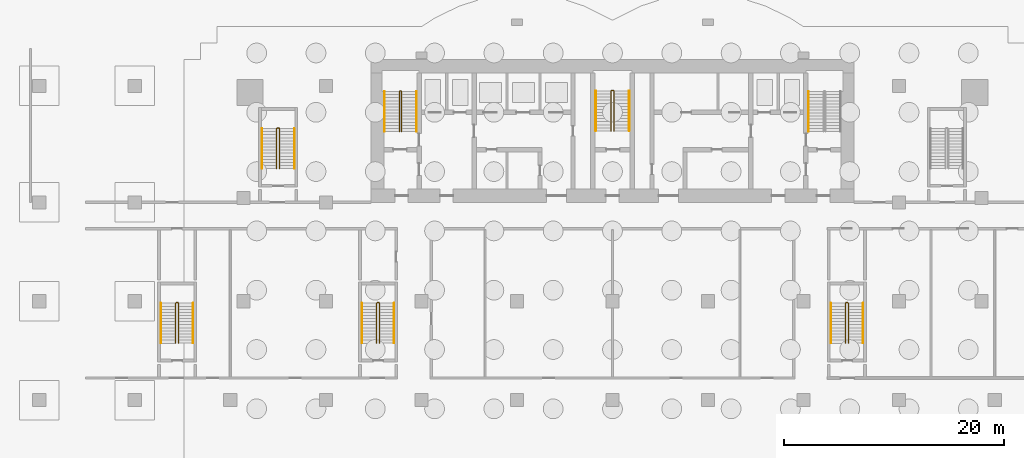
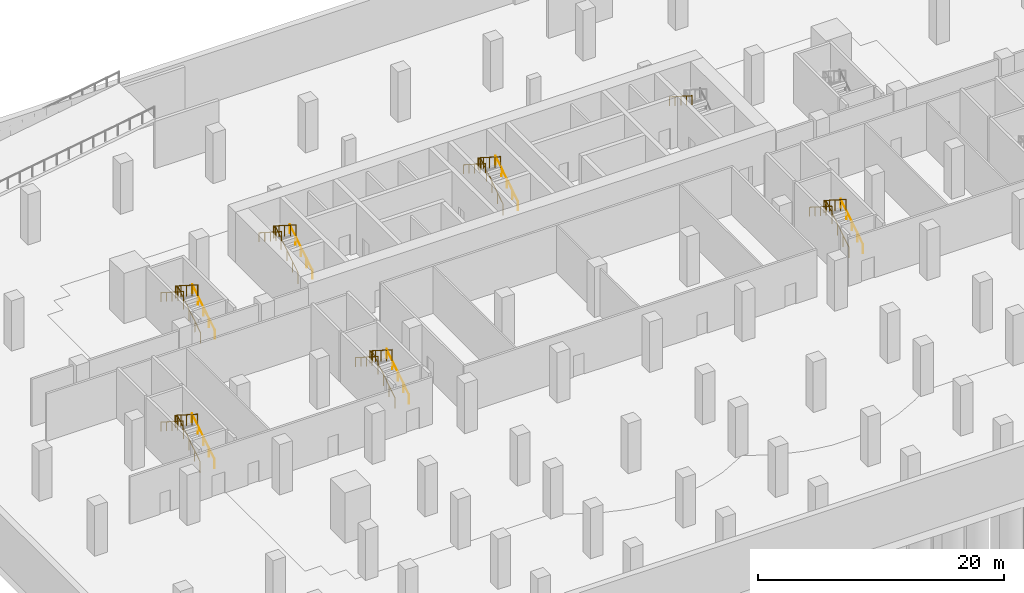
# One storey, part 8 of 10: 19 railings.
"""IFC4 building model written with IfcOpenShell, lengths in metres."""

import ifcopenshell
import ifcopenshell.guid

model = None  # the IFC model being written
_history = None  # IfcOwnerHistory: only IFC2X3 demands one
_inside = {}  # id of a spatial element -> (the spatial element, [elements in it])
_under = {}  # id of a project, library or spatial element -> (it, [spatial elements below it])
_declared = {}  # id of a project -> (the project, [libraries it declares])
_typed = {}  # id of a type object -> (the type object, [elements of that type])
_made_of = {}  # id of a material, layer set ... -> (it, [elements and type objects made of it])


def new_model(schema):
    """Start an empty IFC model of exactly this schema.

    Asked for "IFC4X3", IfcOpenShell would pick the latest addendum, in which some entities
    have other attributes; the version numbers below select the first issue.
    IFC2X3 requires an IfcOwnerHistory on every rooted entity: one is made here for all.
    """
    global model, _history
    if schema == "IFC4X3":
        model = ifcopenshell.file(schema_version=(4, 3, 0, 0))
    else:
        model = ifcopenshell.file(schema=schema)
    _inside.clear()
    _under.clear()
    _declared.clear()
    _typed.clear()
    _made_of.clear()
    _history = None
    if model.schema == "IFC2X3":
        org = make("IfcOrganization", Name="unknown")
        user = make(
            "IfcPersonAndOrganization",
            ThePerson=make("IfcPerson", FamilyName="unknown"),
            TheOrganization=org,
        )
        app = make(
            "IfcApplication",
            ApplicationDeveloper=org,
            Version="unknown",
            ApplicationFullName="unknown",
            ApplicationIdentifier="unknown",
        )
        _history = make(
            "IfcOwnerHistory",
            OwningUser=user,
            OwningApplication=app,
            ChangeAction="ADDED",
            CreationDate=0,
        )
    return model


def make(cls, **values):
    """One entity of the class cls with the attributes given. An attribute that is None is left unset."""
    return model.create_entity(
        cls, **{name: value for name, value in values.items() if value is not None}
    )


def rooted(cls, **values):
    """An entity with a GlobalId (a new one), such as an element, a storey or a relation."""
    return make(cls, GlobalId=ifcopenshell.guid.new(), OwnerHistory=_history, **values)


def si_unit(unit_type, name, prefix=None):
    """IfcSIUnit, for example si_unit("LENGTHUNIT", "METRE", prefix="MILLI")."""
    return make("IfcSIUnit", UnitType=unit_type, Prefix=prefix, Name=name)


def assignment(units):
    """IfcUnitAssignment: the units of a project."""
    return None if units is None else make("IfcUnitAssignment", Units=units)


def point(xyz):
    """IfcCartesianPoint."""
    return None if xyz is None else make("IfcCartesianPoint", Coordinates=xyz)


def direction(xyz):
    """IfcDirection."""
    return None if xyz is None else make("IfcDirection", DirectionRatios=xyz)


def frame(location, z_axis=None, x_axis=None):
    """IfcAxis2Placement3D, a coordinate frame: its origin and axes. An axis left out is left unset."""
    return make(
        "IfcAxis2Placement3D",
        Location=point(location),
        Axis=direction(z_axis),
        RefDirection=direction(x_axis),
    )


def frame_2d(location, x_axis=None):
    """IfcAxis2Placement2D, a coordinate frame in the plane: its origin and x axis."""
    return make(
        "IfcAxis2Placement2D", Location=point(location), RefDirection=direction(x_axis)
    )


def origin():
    """The frame at (0, 0, 0) with its axes left unset."""
    return frame((0.0, 0.0, 0.0))


def origin_2d():
    """The frame at (0, 0) in the plane with its x axis left unset."""
    return frame_2d((0.0, 0.0))


def place(relative_to, where):
    """IfcLocalPlacement: puts the frame where relative to a parent placement (None: the world)."""
    return make(
        "IfcLocalPlacement", PlacementRelTo=relative_to, RelativePlacement=where
    )


def context(
    kind, dimensions, precision=None, world=None, true_north=None, identifier=None
):
    """IfcGeometricRepresentationContext, for example the 3D "Model" context."""
    return make(
        "IfcGeometricRepresentationContext",
        ContextIdentifier=identifier,
        ContextType=kind,
        CoordinateSpaceDimension=dimensions,
        Precision=precision,
        WorldCoordinateSystem=world,
        TrueNorth=true_north,
    )


def subcontext(parent, identifier, kind, view, scale=None):
    """IfcGeometricRepresentationSubContext, for example "Body" below "Model"."""
    return make(
        "IfcGeometricRepresentationSubContext",
        ContextIdentifier=identifier,
        ContextType=kind,
        ParentContext=parent,
        TargetScale=scale,
        TargetView=view,
    )


def project(units=None, contexts=None):
    """IfcProject with its units and contexts."""
    return rooted(
        "IfcProject",
        Name="project",
        RepresentationContexts=contexts,
        UnitsInContext=assignment(units),
    )


def spatial(cls, under=None, at=None, **own):
    """A site, building, storey or space (cls), placed at a placement, below another one or the project."""
    s = rooted(cls, ObjectPlacement=at, **own)
    if under is not None:
        _under.setdefault(under.id(), (under, []))[1].append(s)
    return s


def profile(cls, at=None, kind="AREA", **sizes):
    """A parametric profile (cls). Its sizes go by their IFC names, for example OverallWidth=200.0."""
    return make(cls, ProfileType=kind, Position=at, **sizes)


def circle(**sizes):
    """IfcCircleProfileDef."""
    return profile("IfcCircleProfileDef", **sizes)


def extrude(swept, where, along, depth):
    """IfcExtrudedAreaSolid: the profile swept, set in the frame where, extruded along a direction by depth."""
    return make(
        "IfcExtrudedAreaSolid",
        SweptArea=swept,
        Position=where,
        ExtrudedDirection=direction(along),
        Depth=depth,
    )


def shape(context_of_items, identifier, shape_type, items):
    """IfcShapeRepresentation: the items that make up one representation, for example the "Body"."""
    return make(
        "IfcShapeRepresentation",
        ContextOfItems=context_of_items,
        RepresentationIdentifier=identifier,
        RepresentationType=shape_type,
        Items=items,
    )


def material(Name=None, Category=None):
    """IfcMaterial."""
    return make("IfcMaterial", Name=Name, Category=Category)


def made_of(thing, what):
    """Note that an element or type object is made of a material, layer set ...; save() writes the relation."""
    if what is not None:
        _made_of.setdefault(what.id(), (what, []))[1].append(thing)
    return thing


def type_object(cls, material=None, **own):
    """A type object (cls), such as IfcWallType, which elements share."""
    return made_of(rooted(cls, **own), material)


def element(
    cls,
    number,
    at=None,
    inside=None,
    cuts=None,
    type_object=None,
    material=None,
    context=None,
    identifier="Body",
    shape_type=None,
    held_by="IfcProductDefinitionShape",
    body=None,
    shapes=None,
    **own,
):
    """One element of the class cls, such as IfcWall. Its Tag is "e" and its number.

    at: its placement. inside: the storey or other place that contains it. cuts: it is an
    opening in that element (IfcRelVoidsElement). A single representation is given by context,
    identifier, shape_type and body (its items); several are given by shapes. held_by: the class
    of the entity that holds the representations. save() writes the other relations.
    """
    e = rooted(cls, Tag="e%d" % number, ObjectPlacement=at, **own)
    if body is not None:
        shapes = [shape(context, identifier, shape_type, body)]
    if shapes is not None:
        e.Representation = make(held_by, Representations=shapes)
    if inside is not None:
        _inside.setdefault(inside.id(), (inside, []))[1].append(e)
    if cuts is not None:
        rooted(
            "IfcRelVoidsElement", RelatingBuildingElement=cuts, RelatedOpeningElement=e
        )
    if type_object is not None:
        _typed.setdefault(type_object.id(), (type_object, []))[1].append(e)
    return made_of(e, material)


def aggregate(whole, parts):
    """IfcRelAggregates: a whole, such as a stair, and the parts it consists of."""
    return rooted("IfcRelAggregates", RelatingObject=whole, RelatedObjects=parts)


def save(model, path):
    """Write the relations noted so far, then the file.

    IfcRelAggregates (storeys below a building ...), IfcRelContainedInSpatialStructure (elements
    in a storey), IfcRelDefinesByType, IfcRelAssociatesMaterial and IfcRelDeclares: one each for
    every whole, place, type object, material and project.
    """
    for whole, parts in _under.values():
        aggregate(whole, parts)
    for where, things in _inside.values():
        rooted(
            "IfcRelContainedInSpatialStructure",
            RelatedElements=things,
            RelatingStructure=where,
        )
    for kind, things in _typed.values():
        rooted("IfcRelDefinesByType", RelatedObjects=things, RelatingType=kind)
    for what, things in _made_of.values():
        rooted("IfcRelAssociatesMaterial", RelatedObjects=things, RelatingMaterial=what)
    for by, libraries in _declared.values():
        rooted("IfcRelDeclares", RelatingContext=by, RelatedDefinitions=libraries)
    model.write(path)


model = new_model("IFC4")

# Units and contexts
model_context = context("Model", 3, precision=1e-05, world=origin(), true_north=direction((0.0, 1.0)))
body_context = subcontext(model_context, "Body", "Model", "MODEL_VIEW")
ifc_project = project(units=[si_unit("LENGTHUNIT", "METRE"), si_unit("AREAUNIT", "SQUARE_METRE"), si_unit("VOLUMEUNIT", "CUBIC_METRE"), si_unit("PLANEANGLEUNIT", "RADIAN"), si_unit("MASSUNIT", "GRAM", prefix="KILO")], contexts=[model_context])

# Site, building, storey
site_placement = place(None, origin())
site = spatial("IfcSite", under=ifc_project, at=site_placement, CompositionType="ELEMENT")
building_placement = place(site_placement, origin())
building = spatial("IfcBuilding", under=site, at=building_placement, Name="Bicima Exchange Tower", CompositionType="ELEMENT")
storey_placement = place(building_placement, frame((0.0, 0.0, -15.0)))
storey = spatial("IfcBuildingStorey", under=building, at=storey_placement, Name="B3", CompositionType="ELEMENT", Elevation=-15.0)

# Railings
ifc_material = material(Name="Stainless steel", Category="steel")
railing_type_1 = type_object("IfcRailingType", Name="Stair guard 1100", PredefinedType="GUARDRAIL", material=ifc_material)
railing_1_placement = place(storey_placement, frame((-19.199951171875, -6.550048828125, 0.178466796875)))
element("IfcRailing", 1, at=railing_1_placement, inside=storey, type_object=railing_type_1, Name="B3 ST-W stair guard 1", PredefinedType="GUARDRAIL", context=body_context, shape_type="SweptSolid", body=[
    extrude(circle(Radius=0.02392578125, at=origin_2d()), frame((0.0, 0.0, 1.076171875), z_axis=(0.0, 0.843127859045, 0.537713132908), x_axis=(-1.0, 0.0, 0.0)), (0.0, 0.0, 1.0), 4.3173828125),
    extrude(circle(Radius=0.02392578125, at=origin_2d()), frame((0.0, 3.64013671875, 3.3974609375), z_axis=(-0.708833529934, 0.705375805398, 0.0), x_axis=(-0.705375805398, -0.708833529934, 0.0)), (0.0, 0.0, 1.0), 0.070556640625),
    extrude(circle(Radius=0.02392578125, at=origin_2d()), frame((-0.050048828125, 3.68994140625, 3.3974609375), z_axis=(-1.0, 0.0, 0.0), x_axis=(0.0, -1.0, 0.0)), (0.0, 0.0, 1.0), 0.10009765625),
    extrude(circle(Radius=0.02392578125, at=origin_2d()), frame((-0.150146484375, 3.68994140625, 3.3974609375), z_axis=(-0.259584636361, -0.259584636361, 0.930178280294), x_axis=(0.707106781187, -0.707106781187, 0.0)), (0.0, 0.0, 1.0), 0.19189453125),
    extrude(circle(Radius=0.02392578125, at=origin_2d()), frame((-0.199951171875, 3.64013671875, 3.576171875), z_axis=(0.0, -0.843127859045, 0.537713132908), x_axis=(1.0, 0.0, 0.0)), (0.0, 0.0, 1.0), 4.3173828125),
    extrude(circle(Radius=0.02099609375, at=origin_2d()), origin(), (0.0, 0.0, 1.0), 1.052001953125),
    extrude(circle(Radius=0.02099609375, at=origin_2d()), frame((0.0, 0.91015625, 0.580322265625)), (0.0, 0.0, 1.0), 1.052001953125),
    extrude(circle(Radius=0.02099609375, at=origin_2d()), frame((0.0, 1.820068359375, 1.16064453125)), (0.0, 0.0, 1.0), 1.052001953125),
    extrude(circle(Radius=0.02099609375, at=origin_2d()), frame((0.0, 2.72998046875, 1.7412109375)), (0.0, 0.0, 1.0), 1.052001953125),
    extrude(circle(Radius=0.02099609375, at=origin_2d()), frame((0.0, 3.64013671875, 2.321533203125)), (0.0, 0.0, 1.0), 1.052001953125),
    extrude(circle(Radius=0.02099609375, at=origin_2d()), frame((-0.050048828125, 3.68994140625, 2.321533203125)), (0.0, 0.0, 1.0), 1.052001953125),
    extrude(circle(Radius=0.02099609375, at=origin_2d()), frame((-0.150146484375, 3.68994140625, 2.321533203125)), (0.0, 0.0, 1.0), 1.052001953125),
    extrude(circle(Radius=0.02099609375, at=origin_2d()), frame((-0.199951171875, 3.64013671875, 2.5)), (0.0, 0.0, 1.0), 1.052001953125),
    extrude(circle(Radius=0.02099609375, at=origin_2d()), frame((-0.199951171875, 2.72998046875, 3.080322265625)), (0.0, 0.0, 1.0), 1.052001953125),
    extrude(circle(Radius=0.02099609375, at=origin_2d()), frame((-0.199951171875, 1.820068359375, 3.66064453125)), (0.0, 0.0, 1.0), 1.052001953125),
    extrude(circle(Radius=0.02099609375, at=origin_2d()), frame((-0.199951171875, 0.91015625, 4.2412109375)), (0.0, 0.0, 1.0), 1.052001953125),
    extrude(circle(Radius=0.02099609375, at=origin_2d()), frame((-0.199951171875, 0.0, 4.821533203125)), (0.0, 0.0, 1.0), 1.052001953125),
])
railing_2_placement = place(storey_placement, frame((0.125, -6.5, 0.178466796875)))
element("IfcRailing", 2, at=railing_2_placement, inside=storey, type_object=railing_type_1, Name="B3 ST-C stair guard 1", PredefinedType="GUARDRAIL", context=body_context, shape_type="SweptSolid", body=[
    extrude(circle(Radius=0.02392578125, at=origin_2d()), frame((0.0, 0.0, 1.076171875), z_axis=(0.0, 0.843111507901, 0.53773877045), x_axis=(-1.0, 0.0, 0.0)), (0.0, 0.0, 1.0), 4.317138671875),
    extrude(circle(Radius=0.02392578125, at=origin_2d()), frame((0.0, 3.639892578125, 3.3974609375), z_axis=(-0.707106781187, 0.707106781187, 0.0), x_axis=(-0.707106781187, -0.707106781187, 0.0)), (0.0, 0.0, 1.0), 0.07080078125),
    extrude(circle(Radius=0.02392578125, at=origin_2d()), frame((-0.050048828125, 3.68994140625, 3.3974609375), z_axis=(-1.0, 0.0, 0.0), x_axis=(0.0, -1.0, 0.0)), (0.0, 0.0, 1.0), 0.14990234375),
    extrude(circle(Radius=0.02392578125, at=origin_2d()), frame((-0.199951171875, 3.68994140625, 3.3974609375), z_axis=(-0.260684529273, -0.260684529273, 0.929562882432), x_axis=(0.707106781187, -0.707106781187, 0.0)), (0.0, 0.0, 1.0), 0.19189453125),
    extrude(circle(Radius=0.02392578125, at=origin_2d()), frame((-0.25, 3.639892578125, 3.576171875), z_axis=(0.0, -0.843111507901, 0.53773877045), x_axis=(1.0, 0.0, 0.0)), (0.0, 0.0, 1.0), 4.317138671875),
    extrude(circle(Radius=0.02099609375, at=origin_2d()), origin(), (0.0, 0.0, 1.0), 1.052001953125),
    extrude(circle(Radius=0.02099609375, at=origin_2d()), frame((0.0, 0.909912109375, 0.580322265625)), (0.0, 0.0, 1.0), 1.052001953125),
    extrude(circle(Radius=0.02099609375, at=origin_2d()), frame((0.0, 1.81982421875, 1.16064453125)), (0.0, 0.0, 1.0), 1.052001953125),
    extrude(circle(Radius=0.02099609375, at=origin_2d()), frame((0.0, 2.72998046875, 1.7412109375)), (0.0, 0.0, 1.0), 1.052001953125),
    extrude(circle(Radius=0.02099609375, at=origin_2d()), frame((0.0, 3.639892578125, 2.321533203125)), (0.0, 0.0, 1.0), 1.052001953125),
    extrude(circle(Radius=0.02099609375, at=origin_2d()), frame((-0.050048828125, 3.68994140625, 2.321533203125)), (0.0, 0.0, 1.0), 1.052001953125),
    extrude(circle(Radius=0.02099609375, at=origin_2d()), frame((-0.199951171875, 3.68994140625, 2.321533203125)), (0.0, 0.0, 1.0), 1.052001953125),
    extrude(circle(Radius=0.02099609375, at=origin_2d()), frame((-0.25, 3.639892578125, 2.5)), (0.0, 0.0, 1.0), 1.052001953125),
    extrude(circle(Radius=0.02099609375, at=origin_2d()), frame((-0.25, 2.72998046875, 3.080322265625)), (0.0, 0.0, 1.0), 1.052001953125),
    extrude(circle(Radius=0.02099609375, at=origin_2d()), frame((-0.25, 1.81982421875, 3.66064453125)), (0.0, 0.0, 1.0), 1.052001953125),
    extrude(circle(Radius=0.02099609375, at=origin_2d()), frame((-0.25, 0.909912109375, 4.2412109375)), (0.0, 0.0, 1.0), 1.052001953125),
    extrude(circle(Radius=0.02099609375, at=origin_2d()), frame((-0.25, 0.0, 4.821533203125)), (0.0, 0.0, 1.0), 1.052001953125),
])
railing_3_placement = place(storey_placement, frame((-30.324951171875, -9.925048828125, 0.178466796875)))
element("IfcRailing", 3, at=railing_3_placement, inside=storey, type_object=railing_type_1, Name="B3 ST-WW stair guard 1", PredefinedType="GUARDRAIL", context=body_context, shape_type="SweptSolid", body=[
    extrude(circle(Radius=0.02392578125, at=origin_2d()), frame((0.0, 0.0, 1.076171875), z_axis=(0.0, 0.843127859045, 0.537713132908), x_axis=(-1.0, 0.0, 0.0)), (0.0, 0.0, 1.0), 4.3173828125),
    extrude(circle(Radius=0.02392578125, at=origin_2d()), frame((0.0, 3.64013671875, 3.3974609375), z_axis=(-0.708833529934, 0.705375805398, 0.0), x_axis=(-0.705375805398, -0.708833529934, 0.0)), (0.0, 0.0, 1.0), 0.070556640625),
    extrude(circle(Radius=0.02392578125, at=origin_2d()), frame((-0.050048828125, 3.68994140625, 3.3974609375), z_axis=(-1.0, 0.0, 0.0), x_axis=(0.0, -1.0, 0.0)), (0.0, 0.0, 1.0), 0.14990234375),
    extrude(circle(Radius=0.02392578125, at=origin_2d()), frame((-0.199951171875, 3.68994140625, 3.3974609375), z_axis=(-0.26077077684, -0.25949872427, 0.929870428634), x_axis=(0.705375805398, -0.708833529934, 0.0)), (0.0, 0.0, 1.0), 0.19189453125),
    extrude(circle(Radius=0.02392578125, at=origin_2d()), frame((-0.25, 3.64013671875, 3.576171875), z_axis=(0.0, -0.843127859045, 0.537713132908), x_axis=(1.0, 0.0, 0.0)), (0.0, 0.0, 1.0), 4.3173828125),
    extrude(circle(Radius=0.02099609375, at=origin_2d()), origin(), (0.0, 0.0, 1.0), 1.052001953125),
    extrude(circle(Radius=0.02099609375, at=origin_2d()), frame((0.0, 0.91015625, 0.580322265625)), (0.0, 0.0, 1.0), 1.052001953125),
    extrude(circle(Radius=0.02099609375, at=origin_2d()), frame((0.0, 1.820068359375, 1.16064453125)), (0.0, 0.0, 1.0), 1.052001953125),
    extrude(circle(Radius=0.02099609375, at=origin_2d()), frame((0.0, 2.72998046875, 1.7412109375)), (0.0, 0.0, 1.0), 1.052001953125),
    extrude(circle(Radius=0.02099609375, at=origin_2d()), frame((0.0, 3.64013671875, 2.321533203125)), (0.0, 0.0, 1.0), 1.052001953125),
    extrude(circle(Radius=0.02099609375, at=origin_2d()), frame((-0.050048828125, 3.68994140625, 2.321533203125)), (0.0, 0.0, 1.0), 1.052001953125),
    extrude(circle(Radius=0.02099609375, at=origin_2d()), frame((-0.199951171875, 3.68994140625, 2.321533203125)), (0.0, 0.0, 1.0), 1.052001953125),
    extrude(circle(Radius=0.02099609375, at=origin_2d()), frame((-0.25, 3.64013671875, 2.5)), (0.0, 0.0, 1.0), 1.052001953125),
    extrude(circle(Radius=0.02099609375, at=origin_2d()), frame((-0.25, 2.72998046875, 3.080322265625)), (0.0, 0.0, 1.0), 1.052001953125),
    extrude(circle(Radius=0.02099609375, at=origin_2d()), frame((-0.25, 1.820068359375, 3.66064453125)), (0.0, 0.0, 1.0), 1.052001953125),
    extrude(circle(Radius=0.02099609375, at=origin_2d()), frame((-0.25, 0.91015625, 4.2412109375)), (0.0, 0.0, 1.0), 1.052001953125),
    extrude(circle(Radius=0.02099609375, at=origin_2d()), frame((-0.25, 0.0, 4.821533203125)), (0.0, 0.0, 1.0), 1.052001953125),
])
railing_4_placement = place(storey_placement, frame((-39.52490234375, -25.824951171875, 0.178466796875)))
element("IfcRailing", 4, at=railing_4_placement, inside=storey, type_object=railing_type_1, Name="B3 PS-W stair guard 1", PredefinedType="GUARDRAIL", context=body_context, shape_type="SweptSolid", body=[
    extrude(circle(Radius=0.02392578125, at=origin_2d()), frame((0.0, 0.0, 1.076171875), z_axis=(0.0, 0.843111507901, 0.53773877045), x_axis=(-1.0, 0.0, 0.0)), (0.0, 0.0, 1.0), 4.317138671875),
    extrude(circle(Radius=0.02392578125, at=origin_2d()), frame((0.0, 3.639892578125, 3.3974609375), z_axis=(-0.707106781187, 0.707106781187, 0.0), x_axis=(-0.707106781187, -0.707106781187, 0.0)), (0.0, 0.0, 1.0), 0.07080078125),
    extrude(circle(Radius=0.02392578125, at=origin_2d()), frame((-0.050048828125, 3.68994140625, 3.3974609375), z_axis=(-1.0, 0.0, 0.0), x_axis=(0.0, -1.0, 0.0)), (0.0, 0.0, 1.0), 0.150146484375),
    extrude(circle(Radius=0.02392578125, at=origin_2d()), frame((-0.2001953125, 3.68994140625, 3.3974609375), z_axis=(-0.25949872427, -0.26077077684, 0.929870428634), x_axis=(0.708833529934, -0.705375805398, 0.0)), (0.0, 0.0, 1.0), 0.19189453125),
    extrude(circle(Radius=0.02392578125, at=origin_2d()), frame((-0.25, 3.639892578125, 3.576171875), z_axis=(0.0, -0.843111507901, 0.53773877045), x_axis=(1.0, 0.0, 0.0)), (0.0, 0.0, 1.0), 4.317138671875),
    extrude(circle(Radius=0.02099609375, at=origin_2d()), origin(), (0.0, 0.0, 1.0), 1.052001953125),
    extrude(circle(Radius=0.02099609375, at=origin_2d()), frame((0.0, 0.909912109375, 0.580322265625)), (0.0, 0.0, 1.0), 1.052001953125),
    extrude(circle(Radius=0.02099609375, at=origin_2d()), frame((0.0, 1.81982421875, 1.16064453125)), (0.0, 0.0, 1.0), 1.052001953125),
    extrude(circle(Radius=0.02099609375, at=origin_2d()), frame((0.0, 2.72998046875, 1.7412109375)), (0.0, 0.0, 1.0), 1.052001953125),
    extrude(circle(Radius=0.02099609375, at=origin_2d()), frame((0.0, 3.639892578125, 2.321533203125)), (0.0, 0.0, 1.0), 1.052001953125),
    extrude(circle(Radius=0.02099609375, at=origin_2d()), frame((-0.050048828125, 3.68994140625, 2.321533203125)), (0.0, 0.0, 1.0), 1.052001953125),
    extrude(circle(Radius=0.02099609375, at=origin_2d()), frame((-0.2001953125, 3.68994140625, 2.321533203125)), (0.0, 0.0, 1.0), 1.052001953125),
    extrude(circle(Radius=0.02099609375, at=origin_2d()), frame((-0.25, 3.639892578125, 2.5)), (0.0, 0.0, 1.0), 1.052001953125),
    extrude(circle(Radius=0.02099609375, at=origin_2d()), frame((-0.25, 2.72998046875, 3.080322265625)), (0.0, 0.0, 1.0), 1.052001953125),
    extrude(circle(Radius=0.02099609375, at=origin_2d()), frame((-0.25, 1.81982421875, 3.66064453125)), (0.0, 0.0, 1.0), 1.052001953125),
    extrude(circle(Radius=0.02099609375, at=origin_2d()), frame((-0.25, 0.909912109375, 4.2412109375)), (0.0, 0.0, 1.0), 1.052001953125),
    extrude(circle(Radius=0.02099609375, at=origin_2d()), frame((-0.25, 0.0, 4.821533203125)), (0.0, 0.0, 1.0), 1.052001953125),
])
railing_5_placement = place(storey_placement, frame((-21.22509765625, -25.824951171875, 0.178466796875)))
element("IfcRailing", 5, at=railing_5_placement, inside=storey, type_object=railing_type_1, Name="B3 PS-WI stair guard 1", PredefinedType="GUARDRAIL", context=body_context, shape_type="SweptSolid", body=[
    extrude(circle(Radius=0.02392578125, at=origin_2d()), frame((0.0, 0.0, 1.076171875), z_axis=(0.0, 0.843111507901, 0.53773877045), x_axis=(-1.0, 0.0, 0.0)), (0.0, 0.0, 1.0), 4.317138671875),
    extrude(circle(Radius=0.02392578125, at=origin_2d()), frame((0.0, 3.639892578125, 3.3974609375), z_axis=(-0.705375805398, 0.708833529934, 0.0), x_axis=(-0.708833529934, -0.705375805398, 0.0)), (0.0, 0.0, 1.0), 0.070556640625),
    extrude(circle(Radius=0.02392578125, at=origin_2d()), frame((-0.0498046875, 3.68994140625, 3.3974609375), z_axis=(-1.0, 0.0, 0.0), x_axis=(0.0, -1.0, 0.0)), (0.0, 0.0, 1.0), 0.150146484375),
    extrude(circle(Radius=0.02392578125, at=origin_2d()), frame((-0.199951171875, 3.68994140625, 3.3974609375), z_axis=(-0.260684529273, -0.260684529273, 0.929562882432), x_axis=(0.707106781187, -0.707106781187, 0.0)), (0.0, 0.0, 1.0), 0.19189453125),
    extrude(circle(Radius=0.02392578125, at=origin_2d()), frame((-0.25, 3.639892578125, 3.576171875), z_axis=(0.0, -0.843111507901, 0.53773877045), x_axis=(1.0, 0.0, 0.0)), (0.0, 0.0, 1.0), 4.317138671875),
    extrude(circle(Radius=0.02099609375, at=origin_2d()), origin(), (0.0, 0.0, 1.0), 1.052001953125),
    extrude(circle(Radius=0.02099609375, at=origin_2d()), frame((0.0, 0.909912109375, 0.580322265625)), (0.0, 0.0, 1.0), 1.052001953125),
    extrude(circle(Radius=0.02099609375, at=origin_2d()), frame((0.0, 1.81982421875, 1.16064453125)), (0.0, 0.0, 1.0), 1.052001953125),
    extrude(circle(Radius=0.02099609375, at=origin_2d()), frame((0.0, 2.72998046875, 1.7412109375)), (0.0, 0.0, 1.0), 1.052001953125),
    extrude(circle(Radius=0.02099609375, at=origin_2d()), frame((0.0, 3.639892578125, 2.321533203125)), (0.0, 0.0, 1.0), 1.052001953125),
    extrude(circle(Radius=0.02099609375, at=origin_2d()), frame((-0.0498046875, 3.68994140625, 2.321533203125)), (0.0, 0.0, 1.0), 1.052001953125),
    extrude(circle(Radius=0.02099609375, at=origin_2d()), frame((-0.199951171875, 3.68994140625, 2.321533203125)), (0.0, 0.0, 1.0), 1.052001953125),
    extrude(circle(Radius=0.02099609375, at=origin_2d()), frame((-0.25, 3.639892578125, 2.5)), (0.0, 0.0, 1.0), 1.052001953125),
    extrude(circle(Radius=0.02099609375, at=origin_2d()), frame((-0.25, 2.72998046875, 3.080322265625)), (0.0, 0.0, 1.0), 1.052001953125),
    extrude(circle(Radius=0.02099609375, at=origin_2d()), frame((-0.25, 1.81982421875, 3.66064453125)), (0.0, 0.0, 1.0), 1.052001953125),
    extrude(circle(Radius=0.02099609375, at=origin_2d()), frame((-0.25, 0.909912109375, 4.2412109375)), (0.0, 0.0, 1.0), 1.052001953125),
    extrude(circle(Radius=0.02099609375, at=origin_2d()), frame((-0.25, 0.0, 4.821533203125)), (0.0, 0.0, 1.0), 1.052001953125),
])
railing_6_placement = place(storey_placement, frame((21.47509765625, -25.824951171875, 0.178466796875)))
element("IfcRailing", 6, at=railing_6_placement, inside=storey, type_object=railing_type_1, Name="B3 PS-EI stair guard 1", PredefinedType="GUARDRAIL", context=body_context, shape_type="SweptSolid", body=[
    extrude(circle(Radius=0.02392578125, at=origin_2d()), frame((0.0, 0.0, 1.076171875), z_axis=(0.0, 0.843111507901, 0.53773877045), x_axis=(-1.0, 0.0, 0.0)), (0.0, 0.0, 1.0), 4.317138671875),
    extrude(circle(Radius=0.02392578125, at=origin_2d()), frame((0.0, 3.639892578125, 3.3974609375), z_axis=(-0.707106781187, 0.707106781187, 0.0), x_axis=(-0.707106781187, -0.707106781187, 0.0)), (0.0, 0.0, 1.0), 0.07080078125),
    extrude(circle(Radius=0.02392578125, at=origin_2d()), frame((-0.050048828125, 3.68994140625, 3.3974609375), z_axis=(-1.0, 0.0, 0.0), x_axis=(0.0, -1.0, 0.0)), (0.0, 0.0, 1.0), 0.150146484375),
    extrude(circle(Radius=0.02392578125, at=origin_2d()), frame((-0.2001953125, 3.68994140625, 3.3974609375), z_axis=(-0.25949872427, -0.26077077684, 0.929870428634), x_axis=(0.708833529934, -0.705375805398, 0.0)), (0.0, 0.0, 1.0), 0.19189453125),
    extrude(circle(Radius=0.02392578125, at=origin_2d()), frame((-0.25, 3.639892578125, 3.576171875), z_axis=(0.0, -0.843111507901, 0.53773877045), x_axis=(1.0, 0.0, 0.0)), (0.0, 0.0, 1.0), 4.317138671875),
    extrude(circle(Radius=0.02099609375, at=origin_2d()), origin(), (0.0, 0.0, 1.0), 1.052001953125),
    extrude(circle(Radius=0.02099609375, at=origin_2d()), frame((0.0, 0.909912109375, 0.580322265625)), (0.0, 0.0, 1.0), 1.052001953125),
    extrude(circle(Radius=0.02099609375, at=origin_2d()), frame((0.0, 1.81982421875, 1.16064453125)), (0.0, 0.0, 1.0), 1.052001953125),
    extrude(circle(Radius=0.02099609375, at=origin_2d()), frame((0.0, 2.72998046875, 1.7412109375)), (0.0, 0.0, 1.0), 1.052001953125),
    extrude(circle(Radius=0.02099609375, at=origin_2d()), frame((0.0, 3.639892578125, 2.321533203125)), (0.0, 0.0, 1.0), 1.052001953125),
    extrude(circle(Radius=0.02099609375, at=origin_2d()), frame((-0.050048828125, 3.68994140625, 2.321533203125)), (0.0, 0.0, 1.0), 1.052001953125),
    extrude(circle(Radius=0.02099609375, at=origin_2d()), frame((-0.2001953125, 3.68994140625, 2.321533203125)), (0.0, 0.0, 1.0), 1.052001953125),
    extrude(circle(Radius=0.02099609375, at=origin_2d()), frame((-0.25, 3.639892578125, 2.5)), (0.0, 0.0, 1.0), 1.052001953125),
    extrude(circle(Radius=0.02099609375, at=origin_2d()), frame((-0.25, 2.72998046875, 3.080322265625)), (0.0, 0.0, 1.0), 1.052001953125),
    extrude(circle(Radius=0.02099609375, at=origin_2d()), frame((-0.25, 1.81982421875, 3.66064453125)), (0.0, 0.0, 1.0), 1.052001953125),
    extrude(circle(Radius=0.02099609375, at=origin_2d()), frame((-0.25, 0.909912109375, 4.2412109375)), (0.0, 0.0, 1.0), 1.052001953125),
    extrude(circle(Radius=0.02099609375, at=origin_2d()), frame((-0.25, 0.0, 4.821533203125)), (0.0, 0.0, 1.0), 1.052001953125),
])
railing_type_2 = type_object("IfcRailingType", Name="Stair handrail 900", PredefinedType="HANDRAIL", material=ifc_material)
railing_7_placement = place(storey_placement, frame((-17.85009765625, -6.550048828125, 0.178466796875)))
element("IfcRailing", 7, at=railing_7_placement, inside=storey, type_object=railing_type_2, Name="B3 ST-W stair handrail 1", PredefinedType="HANDRAIL", context=body_context, shape_type="SweptSolid", body=[
    extrude(circle(Radius=0.02392578125, at=origin_2d()), frame((0.0, 0.0, 0.8759765625), z_axis=(0.0, 0.843127859045, 0.537713132908), x_axis=(-1.0, 0.0, 0.0)), (0.0, 0.0, 1.0), 4.3173828125),
    extrude(circle(Radius=0.02099609375, at=origin_2d()), origin(), (0.0, 0.0, 1.0), 0.851806640625),
    extrude(circle(Radius=0.02099609375, at=origin_2d()), frame((0.0, 0.91015625, 0.580322265625)), (0.0, 0.0, 1.0), 0.851806640625),
    extrude(circle(Radius=0.02099609375, at=origin_2d()), frame((0.0, 1.820068359375, 1.16064453125)), (0.0, 0.0, 1.0), 0.851806640625),
    extrude(circle(Radius=0.02099609375, at=origin_2d()), frame((0.0, 2.72998046875, 1.7412109375)), (0.0, 0.0, 1.0), 0.851806640625),
    extrude(circle(Radius=0.02099609375, at=origin_2d()), frame((0.0, 3.64013671875, 2.321533203125)), (0.0, 0.0, 1.0), 0.851806640625),
])
railing_8_placement = place(storey_placement, frame((-20.75, -2.909912109375, 2.678466796875)))
element("IfcRailing", 8, at=railing_8_placement, inside=storey, type_object=railing_type_2, Name="B3 ST-W stair handrail 2", PredefinedType="HANDRAIL", context=body_context, shape_type="SweptSolid", body=[
    extrude(circle(Radius=0.02392578125, at=origin_2d()), frame((0.0, 0.0, 0.8759765625), z_axis=(0.0, -0.843127859045, 0.537713132908), x_axis=(1.0, 0.0, 0.0)), (0.0, 0.0, 1.0), 4.3173828125),
    extrude(circle(Radius=0.02099609375, at=origin_2d()), origin(), (0.0, 0.0, 1.0), 0.851806640625),
    extrude(circle(Radius=0.02099609375, at=origin_2d()), frame((0.0, -0.91015625, 0.580322265625)), (0.0, 0.0, 1.0), 0.851806640625),
    extrude(circle(Radius=0.02099609375, at=origin_2d()), frame((0.0, -1.820068359375, 1.16064453125)), (0.0, 0.0, 1.0), 0.851806640625),
    extrude(circle(Radius=0.02099609375, at=origin_2d()), frame((0.0, -2.72998046875, 1.7412109375)), (0.0, 0.0, 1.0), 0.851806640625),
    extrude(circle(Radius=0.02099609375, at=origin_2d()), frame((0.0, -3.64013671875, 2.321533203125)), (0.0, 0.0, 1.0), 0.851806640625),
])
railing_9_placement = place(storey_placement, frame((1.52490234375, -6.5, 0.178466796875)))
element("IfcRailing", 9, at=railing_9_placement, inside=storey, type_object=railing_type_2, Name="B3 ST-C stair handrail 1", PredefinedType="HANDRAIL", context=body_context, shape_type="SweptSolid", body=[
    extrude(circle(Radius=0.02392578125, at=origin_2d()), frame((0.0, 0.0, 0.8759765625), z_axis=(0.0, 0.843111507901, 0.53773877045), x_axis=(-1.0, 0.0, 0.0)), (0.0, 0.0, 1.0), 4.317138671875),
    extrude(circle(Radius=0.02099609375, at=origin_2d()), origin(), (0.0, 0.0, 1.0), 0.851806640625),
    extrude(circle(Radius=0.02099609375, at=origin_2d()), frame((0.0, 0.909912109375, 0.580322265625)), (0.0, 0.0, 1.0), 0.851806640625),
    extrude(circle(Radius=0.02099609375, at=origin_2d()), frame((0.0, 1.81982421875, 1.16064453125)), (0.0, 0.0, 1.0), 0.851806640625),
    extrude(circle(Radius=0.02099609375, at=origin_2d()), frame((0.0, 2.72998046875, 1.7412109375)), (0.0, 0.0, 1.0), 0.851806640625),
    extrude(circle(Radius=0.02099609375, at=origin_2d()), frame((0.0, 3.639892578125, 2.321533203125)), (0.0, 0.0, 1.0), 0.851806640625),
])
railing_10_placement = place(storey_placement, frame((-1.52490234375, -2.860107421875, 2.678466796875)))
element("IfcRailing", 10, at=railing_10_placement, inside=storey, type_object=railing_type_2, Name="B3 ST-C stair handrail 2", PredefinedType="HANDRAIL", context=body_context, shape_type="SweptSolid", body=[
    extrude(circle(Radius=0.02392578125, at=origin_2d()), frame((0.0, 0.0, 0.8759765625), z_axis=(0.0, -0.843111507901, 0.53773877045), x_axis=(1.0, 0.0, 0.0)), (0.0, 0.0, 1.0), 4.317138671875),
    extrude(circle(Radius=0.02099609375, at=origin_2d()), origin(), (0.0, 0.0, 1.0), 0.851806640625),
    extrude(circle(Radius=0.02099609375, at=origin_2d()), frame((0.0, -0.909912109375, 0.580322265625)), (0.0, 0.0, 1.0), 0.851806640625),
    extrude(circle(Radius=0.02099609375, at=origin_2d()), frame((0.0, -1.81982421875, 1.16064453125)), (0.0, 0.0, 1.0), 0.851806640625),
    extrude(circle(Radius=0.02099609375, at=origin_2d()), frame((0.0, -2.72998046875, 1.7412109375)), (0.0, 0.0, 1.0), 0.851806640625),
    extrude(circle(Radius=0.02099609375, at=origin_2d()), frame((0.0, -3.639892578125, 2.321533203125)), (0.0, 0.0, 1.0), 0.851806640625),
])
railing_11_placement = place(storey_placement, frame((17.85009765625, -2.909912109375, 2.678466796875)))
element("IfcRailing", 11, at=railing_11_placement, inside=storey, type_object=railing_type_2, Name="B3 ST-E stair handrail 2", PredefinedType="HANDRAIL", context=body_context, shape_type="SweptSolid", body=[
    extrude(circle(Radius=0.02392578125, at=origin_2d()), frame((0.0, 0.0, 0.8759765625), z_axis=(0.0, -0.843127859045, 0.537713132908), x_axis=(1.0, 0.0, 0.0)), (0.0, 0.0, 1.0), 4.3173828125),
    extrude(circle(Radius=0.02099609375, at=origin_2d()), origin(), (0.0, 0.0, 1.0), 0.851806640625),
    extrude(circle(Radius=0.02099609375, at=origin_2d()), frame((0.0, -0.91015625, 0.580322265625)), (0.0, 0.0, 1.0), 0.851806640625),
    extrude(circle(Radius=0.02099609375, at=origin_2d()), frame((0.0, -1.820068359375, 1.16064453125)), (0.0, 0.0, 1.0), 0.851806640625),
    extrude(circle(Radius=0.02099609375, at=origin_2d()), frame((0.0, -2.72998046875, 1.7412109375)), (0.0, 0.0, 1.0), 0.851806640625),
    extrude(circle(Radius=0.02099609375, at=origin_2d()), frame((0.0, -3.64013671875, 2.321533203125)), (0.0, 0.0, 1.0), 0.851806640625),
])
railing_12_placement = place(storey_placement, frame((-28.97509765625, -9.925048828125, 0.178466796875)))
element("IfcRailing", 12, at=railing_12_placement, inside=storey, type_object=railing_type_2, Name="B3 ST-WW stair handrail 1", PredefinedType="HANDRAIL", context=body_context, shape_type="SweptSolid", body=[
    extrude(circle(Radius=0.02392578125, at=origin_2d()), frame((0.0, 0.0, 0.8759765625), z_axis=(0.0, 0.843127859045, 0.537713132908), x_axis=(-1.0, 0.0, 0.0)), (0.0, 0.0, 1.0), 4.3173828125),
    extrude(circle(Radius=0.02099609375, at=origin_2d()), origin(), (0.0, 0.0, 1.0), 0.851806640625),
    extrude(circle(Radius=0.02099609375, at=origin_2d()), frame((0.0, 0.91015625, 0.580322265625)), (0.0, 0.0, 1.0), 0.851806640625),
    extrude(circle(Radius=0.02099609375, at=origin_2d()), frame((0.0, 1.820068359375, 1.16064453125)), (0.0, 0.0, 1.0), 0.851806640625),
    extrude(circle(Radius=0.02099609375, at=origin_2d()), frame((0.0, 2.72998046875, 1.7412109375)), (0.0, 0.0, 1.0), 0.851806640625),
    extrude(circle(Radius=0.02099609375, at=origin_2d()), frame((0.0, 3.64013671875, 2.321533203125)), (0.0, 0.0, 1.0), 0.851806640625),
])
railing_13_placement = place(storey_placement, frame((-31.925048828125, -6.284912109375, 2.678466796875)))
element("IfcRailing", 13, at=railing_13_placement, inside=storey, type_object=railing_type_2, Name="B3 ST-WW stair handrail 2", PredefinedType="HANDRAIL", context=body_context, shape_type="SweptSolid", body=[
    extrude(circle(Radius=0.02392578125, at=origin_2d()), frame((0.0, 0.0, 0.8759765625), z_axis=(0.0, -0.843127859045, 0.537713132908), x_axis=(1.0, 0.0, 0.0)), (0.0, 0.0, 1.0), 4.3173828125),
    extrude(circle(Radius=0.02099609375, at=origin_2d()), origin(), (0.0, 0.0, 1.0), 0.851806640625),
    extrude(circle(Radius=0.02099609375, at=origin_2d()), frame((0.0, -0.91015625, 0.580322265625)), (0.0, 0.0, 1.0), 0.851806640625),
    extrude(circle(Radius=0.02099609375, at=origin_2d()), frame((0.0, -1.820068359375, 1.16064453125)), (0.0, 0.0, 1.0), 0.851806640625),
    extrude(circle(Radius=0.02099609375, at=origin_2d()), frame((0.0, -2.72998046875, 1.7412109375)), (0.0, 0.0, 1.0), 0.851806640625),
    extrude(circle(Radius=0.02099609375, at=origin_2d()), frame((0.0, -3.64013671875, 2.321533203125)), (0.0, 0.0, 1.0), 0.851806640625),
])
railing_14_placement = place(storey_placement, frame((-38.175048828125, -25.824951171875, 0.178466796875)))
element("IfcRailing", 14, at=railing_14_placement, inside=storey, type_object=railing_type_2, Name="B3 PS-W stair handrail 1", PredefinedType="HANDRAIL", context=body_context, shape_type="SweptSolid", body=[
    extrude(circle(Radius=0.02392578125, at=origin_2d()), frame((0.0, 0.0, 0.8759765625), z_axis=(0.0, 0.843111507901, 0.53773877045), x_axis=(-1.0, 0.0, 0.0)), (0.0, 0.0, 1.0), 4.317138671875),
    extrude(circle(Radius=0.02099609375, at=origin_2d()), origin(), (0.0, 0.0, 1.0), 0.851806640625),
    extrude(circle(Radius=0.02099609375, at=origin_2d()), frame((0.0, 0.909912109375, 0.580322265625)), (0.0, 0.0, 1.0), 0.851806640625),
    extrude(circle(Radius=0.02099609375, at=origin_2d()), frame((0.0, 1.81982421875, 1.16064453125)), (0.0, 0.0, 1.0), 0.851806640625),
    extrude(circle(Radius=0.02099609375, at=origin_2d()), frame((0.0, 2.72998046875, 1.7412109375)), (0.0, 0.0, 1.0), 0.851806640625),
    extrude(circle(Radius=0.02099609375, at=origin_2d()), frame((0.0, 3.639892578125, 2.321533203125)), (0.0, 0.0, 1.0), 0.851806640625),
])
railing_15_placement = place(storey_placement, frame((-41.125, -22.18505859375, 2.678466796875)))
element("IfcRailing", 15, at=railing_15_placement, inside=storey, type_object=railing_type_2, Name="B3 PS-W stair handrail 2", PredefinedType="HANDRAIL", context=body_context, shape_type="SweptSolid", body=[
    extrude(circle(Radius=0.02392578125, at=origin_2d()), frame((0.0, 0.0, 0.8759765625), z_axis=(0.0, -0.843111507901, 0.53773877045), x_axis=(1.0, 0.0, 0.0)), (0.0, 0.0, 1.0), 4.317138671875),
    extrude(circle(Radius=0.02099609375, at=origin_2d()), origin(), (0.0, 0.0, 1.0), 0.851806640625),
    extrude(circle(Radius=0.02099609375, at=origin_2d()), frame((0.0, -0.909912109375, 0.580322265625)), (0.0, 0.0, 1.0), 0.851806640625),
    extrude(circle(Radius=0.02099609375, at=origin_2d()), frame((0.0, -1.81982421875, 1.16064453125)), (0.0, 0.0, 1.0), 0.851806640625),
    extrude(circle(Radius=0.02099609375, at=origin_2d()), frame((0.0, -2.72998046875, 1.7412109375)), (0.0, 0.0, 1.0), 0.851806640625),
    extrude(circle(Radius=0.02099609375, at=origin_2d()), frame((0.0, -3.639892578125, 2.321533203125)), (0.0, 0.0, 1.0), 0.851806640625),
])
railing_16_placement = place(storey_placement, frame((-19.875, -25.824951171875, 0.178466796875)))
element("IfcRailing", 16, at=railing_16_placement, inside=storey, type_object=railing_type_2, Name="B3 PS-WI stair handrail 1", PredefinedType="HANDRAIL", context=body_context, shape_type="SweptSolid", body=[
    extrude(circle(Radius=0.02392578125, at=origin_2d()), frame((0.0, 0.0, 0.8759765625), z_axis=(0.0, 0.843111507901, 0.53773877045), x_axis=(-1.0, 0.0, 0.0)), (0.0, 0.0, 1.0), 4.317138671875),
    extrude(circle(Radius=0.02099609375, at=origin_2d()), origin(), (0.0, 0.0, 1.0), 0.851806640625),
    extrude(circle(Radius=0.02099609375, at=origin_2d()), frame((0.0, 0.909912109375, 0.580322265625)), (0.0, 0.0, 1.0), 0.851806640625),
    extrude(circle(Radius=0.02099609375, at=origin_2d()), frame((0.0, 1.81982421875, 1.16064453125)), (0.0, 0.0, 1.0), 0.851806640625),
    extrude(circle(Radius=0.02099609375, at=origin_2d()), frame((0.0, 2.72998046875, 1.7412109375)), (0.0, 0.0, 1.0), 0.851806640625),
    extrude(circle(Radius=0.02099609375, at=origin_2d()), frame((0.0, 3.639892578125, 2.321533203125)), (0.0, 0.0, 1.0), 0.851806640625),
])
railing_17_placement = place(storey_placement, frame((-22.824951171875, -22.18505859375, 2.678466796875)))
element("IfcRailing", 17, at=railing_17_placement, inside=storey, type_object=railing_type_2, Name="B3 PS-WI stair handrail 2", PredefinedType="HANDRAIL", context=body_context, shape_type="SweptSolid", body=[
    extrude(circle(Radius=0.02392578125, at=origin_2d()), frame((0.0, 0.0, 0.8759765625), z_axis=(0.0, -0.843111507901, 0.53773877045), x_axis=(1.0, 0.0, 0.0)), (0.0, 0.0, 1.0), 4.317138671875),
    extrude(circle(Radius=0.02099609375, at=origin_2d()), origin(), (0.0, 0.0, 1.0), 0.851806640625),
    extrude(circle(Radius=0.02099609375, at=origin_2d()), frame((0.0, -0.909912109375, 0.580322265625)), (0.0, 0.0, 1.0), 0.851806640625),
    extrude(circle(Radius=0.02099609375, at=origin_2d()), frame((0.0, -1.81982421875, 1.16064453125)), (0.0, 0.0, 1.0), 0.851806640625),
    extrude(circle(Radius=0.02099609375, at=origin_2d()), frame((0.0, -2.72998046875, 1.7412109375)), (0.0, 0.0, 1.0), 0.851806640625),
    extrude(circle(Radius=0.02099609375, at=origin_2d()), frame((0.0, -3.639892578125, 2.321533203125)), (0.0, 0.0, 1.0), 0.851806640625),
])
railing_18_placement = place(storey_placement, frame((22.824951171875, -25.824951171875, 0.178466796875)))
element("IfcRailing", 18, at=railing_18_placement, inside=storey, type_object=railing_type_2, Name="B3 PS-EI stair handrail 1", PredefinedType="HANDRAIL", context=body_context, shape_type="SweptSolid", body=[
    extrude(circle(Radius=0.02392578125, at=origin_2d()), frame((0.0, 0.0, 0.8759765625), z_axis=(0.0, 0.843111507901, 0.53773877045), x_axis=(-1.0, 0.0, 0.0)), (0.0, 0.0, 1.0), 4.317138671875),
    extrude(circle(Radius=0.02099609375, at=origin_2d()), origin(), (0.0, 0.0, 1.0), 0.851806640625),
    extrude(circle(Radius=0.02099609375, at=origin_2d()), frame((0.0, 0.909912109375, 0.580322265625)), (0.0, 0.0, 1.0), 0.851806640625),
    extrude(circle(Radius=0.02099609375, at=origin_2d()), frame((0.0, 1.81982421875, 1.16064453125)), (0.0, 0.0, 1.0), 0.851806640625),
    extrude(circle(Radius=0.02099609375, at=origin_2d()), frame((0.0, 2.72998046875, 1.7412109375)), (0.0, 0.0, 1.0), 0.851806640625),
    extrude(circle(Radius=0.02099609375, at=origin_2d()), frame((0.0, 3.639892578125, 2.321533203125)), (0.0, 0.0, 1.0), 0.851806640625),
])
railing_19_placement = place(storey_placement, frame((19.875, -22.18505859375, 2.678466796875)))
element("IfcRailing", 19, at=railing_19_placement, inside=storey, type_object=railing_type_2, Name="B3 PS-EI stair handrail 2", PredefinedType="HANDRAIL", context=body_context, shape_type="SweptSolid", body=[
    extrude(circle(Radius=0.02392578125, at=origin_2d()), frame((0.0, 0.0, 0.8759765625), z_axis=(0.0, -0.843111507901, 0.53773877045), x_axis=(1.0, 0.0, 0.0)), (0.0, 0.0, 1.0), 4.317138671875),
    extrude(circle(Radius=0.02099609375, at=origin_2d()), origin(), (0.0, 0.0, 1.0), 0.851806640625),
    extrude(circle(Radius=0.02099609375, at=origin_2d()), frame((0.0, -0.909912109375, 0.580322265625)), (0.0, 0.0, 1.0), 0.851806640625),
    extrude(circle(Radius=0.02099609375, at=origin_2d()), frame((0.0, -1.81982421875, 1.16064453125)), (0.0, 0.0, 1.0), 0.851806640625),
    extrude(circle(Radius=0.02099609375, at=origin_2d()), frame((0.0, -2.72998046875, 1.7412109375)), (0.0, 0.0, 1.0), 0.851806640625),
    extrude(circle(Radius=0.02099609375, at=origin_2d()), frame((0.0, -3.639892578125, 2.321533203125)), (0.0, 0.0, 1.0), 0.851806640625),
])

save(model, "model.ifc")
